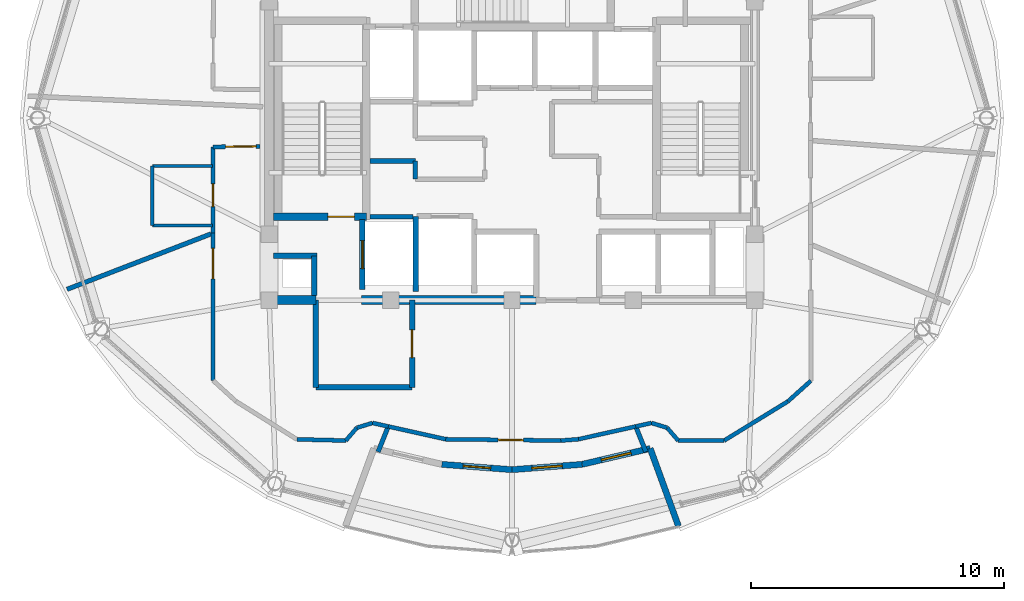
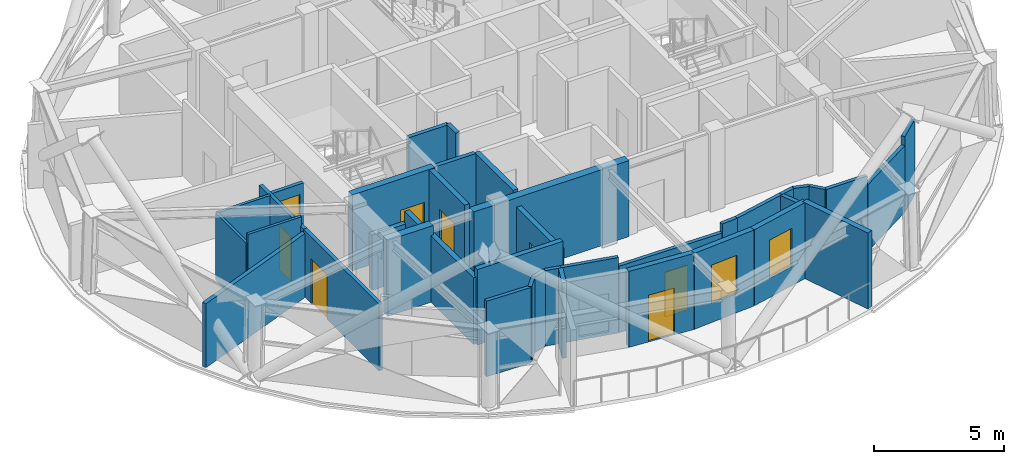
# One storey, part 7 of 13: 40 walls, 8 doors, 2 windows, 10 openings.
"""IFC4 building model written with IfcOpenShell, lengths in metres."""

from ifc_helpers import new_model, si_unit, direction, frame, frame_2d, origin, place, context, subcontext, project, spatial, rectangle, extrude, material, layer, layer_set, type_object, element, fill, save


model = new_model("IFC4")

# Units and contexts
model_context = context("Model", 3, precision=1e-05, world=origin(), true_north=direction((0.0, 1.0)))
body_context = subcontext(model_context, "Body", "Model", "MODEL_VIEW")
ifc_project = project(units=[si_unit("LENGTHUNIT", "METRE"), si_unit("AREAUNIT", "SQUARE_METRE"), si_unit("VOLUMEUNIT", "CUBIC_METRE"), si_unit("PLANEANGLEUNIT", "RADIAN"), si_unit("MASSUNIT", "GRAM", prefix="KILO")], contexts=[model_context])

# Site, building, storey
site_placement = place(None, origin())
site = spatial("IfcSite", under=ifc_project, at=site_placement, CompositionType="ELEMENT")
building_placement = place(site_placement, origin())
building = spatial("IfcBuilding", under=site, at=building_placement, Name="Vantalir Tower", CompositionType="ELEMENT")
storey_placement = place(building_placement, frame((0.0, 0.0, 282.60009765625)))
storey = spatial("IfcBuildingStorey", under=building, at=storey_placement, Name="L71", CompositionType="ELEMENT", Elevation=282.60009765625)

# Walls
ifc_material_1 = material(Name="Moisture-resistant en-suite partition", Category="gypsum")
ifc_layer_1 = layer(ifc_material_1, 0.125)
ifc_layer_set_1 = layer_set([ifc_layer_1], Name="Moisture-resistant en-suite partition")
wall_type_1 = type_object("IfcWallType", Name="WL-BATH-125", PredefinedType="PARTITIONING", material=ifc_layer_set_1)
wall_1_placement = place(storey_placement, frame((17.284912109375, 20.75, 0.0), z_axis=(0.0, 0.0, 1.0), x_axis=(1.0, 0.0, 0.0)))
element("IfcWall", 1, at=wall_1_placement, inside=storey, type_object=wall_type_1, Name="L71 Unisex WC South Wall", PredefinedType="PARTITIONING", context=body_context, shape_type="SweptSolid", body=[
    extrude(rectangle(XDim=2.380126953125, YDim=0.125, at=frame_2d((1.18994140625, 0.0))), origin(), (0.0, 0.0, 1.0), 3.5498046875),
])
wall_2_placement = place(storey_placement, frame((17.284912109375, 23.10009765625, 0.0), z_axis=(0.0, 0.0, 1.0), x_axis=(1.0, 0.0, 0.0)))
element("IfcWall", 2, at=wall_2_placement, inside=storey, type_object=wall_type_1, Name="L71 Unisex WC North Wall", PredefinedType="PARTITIONING", context=body_context, shape_type="SweptSolid", body=[
    extrude(rectangle(XDim=2.380126953125, YDim=0.125, at=frame_2d((1.18994140625, 0.0))), origin(), (0.0, 0.0, 1.0), 3.1318359375),
])
wall_3_placement = place(storey_placement, frame((17.284912109375, 20.75, 0.0), z_axis=(0.0, 0.0, 1.0), x_axis=(0.0, 1.0, 0.0)))
element("IfcWall", 3, at=wall_3_placement, inside=storey, type_object=wall_type_1, Name="L71 Unisex WC West Wall", PredefinedType="PARTITIONING", context=body_context, shape_type="SweptSolid", body=[
    extrude(rectangle(XDim=2.35009765625, YDim=0.125, at=frame_2d((1.175048828125, 0.0))), origin(), (0.0, 0.0, 1.0), 3.1318359375),
])
ifc_material_2 = material(Name="Concrete C50/60", Category="concrete")
ifc_layer_2 = layer(ifc_material_2, 0.35009765625)
ifc_layer_set_2 = layer_set([ifc_layer_2], Name="Concrete C50/60")
wall_type_2 = type_object("IfcWallType", Name="WL-CORE-350", PredefinedType="SHEAR", material=ifc_layer_set_2)
wall_4_placement = place(storey_placement, frame((21.72509765625, 17.800048828125, 0.0), z_axis=(0.0, 0.0, 1.0), x_axis=(1.0, 0.0, 0.0)))
element("IfcWall", 4, at=wall_4_placement, inside=storey, type_object=wall_type_2, Name="L71 Core Shear Wall South-West", PredefinedType="SHEAR", context=body_context, shape_type="SweptSolid", body=[
    extrude(rectangle(XDim=2.02490234375, YDim=0.35009765625, at=frame_2d((1.012451171875, 0.0))), origin(), (0.0, 0.0, 1.0), 3.56982421875),
])
wall_5_placement = place(storey_placement, frame((25.550048828125, 17.800048828125, 0.0), z_axis=(0.0, 0.0, 1.0), x_axis=(1.0, 0.0, 0.0)))
element("IfcWall", 5, at=wall_5_placement, inside=storey, type_object=wall_type_2, Name="L71 Core Shear Wall South-Mid", PredefinedType="SHEAR", context=body_context, shape_type="SweptSolid", body=[
    extrude(rectangle(XDim=6.89990234375, YDim=0.35009765625, at=frame_2d((3.449951171875, 0.0))), origin(), (0.0, 0.0, 1.0), 3.56982421875),
])
ifc_material_3 = material(Name="Fire-rated hotel corridor acoustic partition", Category="gypsum")
ifc_layer_3 = layer(ifc_material_3, 0.159912109375)
ifc_layer_set_3 = layer_set([ifc_layer_3], Name="Fire-rated hotel corridor acoustic partition")
wall_type_3 = type_object("IfcWallType", Name="WL-CORR-160", PredefinedType="PARTITIONING", material=ifc_layer_set_3)
wall_6_placement = place(storey_placement, frame((43.31103515625, 14.612060546875, 0.0), z_axis=(0.0, 0.0, 1.0), x_axis=(-0.744362690942, -0.667775549368, 0.0)))
element("IfcWall", 6, at=wall_6_placement, inside=storey, type_object=wall_type_3, Name="L71 Corridor Partition 11", PredefinedType="PARTITIONING", context=body_context, shape_type="SweptSolid", body=[
    extrude(rectangle(XDim=1.214599609375, YDim=0.159912109375, at=frame_2d((0.607421875, 0.0))), origin(), (0.0, 0.0, 1.0), 3.5498046875),
])
wall_7_placement = place(storey_placement, frame((42.406982421875, 13.801025390625, 0.0), z_axis=(0.0, 0.0, 1.0), x_axis=(-0.851983559322, -0.523568538632, 0.0)))
element("IfcWall", 7, at=wall_7_placement, inside=storey, type_object=wall_type_3, Name="L71 Corridor Partition 12", PredefinedType="PARTITIONING", context=body_context, shape_type="SweptSolid", body=[
    extrude(rectangle(XDim=2.96240234375, YDim=0.159912109375, at=frame_2d((1.481201171875, 0.0))), origin(), (0.0, 0.0, 1.0), 3.1318359375),
])
wall_8_placement = place(storey_placement, frame((39.883056640625, 12.25, 0.0), z_axis=(0.0, 0.0, 1.0), x_axis=(-0.999999855241, 0.000538068257, 0.0)))
element("IfcWall", 8, at=wall_8_placement, inside=storey, type_object=wall_type_3, Name="L71 Corridor Partition 13", PredefinedType="PARTITIONING", context=body_context, shape_type="SweptSolid", body=[
    extrude(rectangle(XDim=1.81494140625, YDim=0.159912109375, at=frame_2d((0.907470703125, 0.0))), origin(), (0.0, 0.0, 1.0), 3.5498046875),
])
wall_9_placement = place(storey_placement, frame((38.068115234375, 12.2509765625, 0.0), z_axis=(0.0, 0.0, 1.0), x_axis=(-0.653875904062, 0.756601812109, 0.0)))
element("IfcWall", 9, at=wall_9_placement, inside=storey, type_object=wall_type_3, Name="L71 Corridor Partition 14", PredefinedType="PARTITIONING", context=body_context, shape_type="SweptSolid", body=[
    extrude(rectangle(XDim=0.670166015625, YDim=0.159912109375, at=frame_2d((0.3349609375, 0.0))), origin(), (0.0, 0.0, 1.0), 3.5498046875),
])
wall_10_placement = place(storey_placement, frame((37.6298828125, 12.758056640625, 0.0), z_axis=(0.0, 0.0, 1.0), x_axis=(-0.956833727442, 0.290635885653, 0.0)))
element("IfcWall", 10, at=wall_10_placement, inside=storey, type_object=wall_type_3, Name="L71 Corridor Partition 15", PredefinedType="PARTITIONING", context=body_context, shape_type="SweptSolid", body=[
    extrude(rectangle(XDim=0.646728515625, YDim=0.159912109375, at=frame_2d((0.3232421875, 0.0))), origin(), (0.0, 0.0, 1.0), 3.5498046875),
])
wall_11_placement = place(storey_placement, frame((37.010986328125, 12.946044921875, 0.0), z_axis=(0.0, 0.0, 1.0), x_axis=(-0.976123697086, -0.217215395374, 0.0)))
element("IfcWall", 11, at=wall_11_placement, inside=storey, type_object=wall_type_3, Name="L71 Corridor Partition 16", PredefinedType="PARTITIONING", context=body_context, shape_type="SweptSolid", body=[
    extrude(rectangle(XDim=0.635009765625, YDim=0.159912109375, at=frame_2d((0.3173828125, 0.0))), origin(), (0.0, 0.0, 1.0), 3.5498046875),
])
wall_12_placement = place(storey_placement, frame((36.39111328125, 12.80810546875, 0.0), z_axis=(0.0, 0.0, 1.0), x_axis=(-0.976095343046, -0.21734277371, 0.0)))
element("IfcWall", 12, at=wall_12_placement, inside=storey, type_object=wall_type_3, Name="L71 Corridor Partition 17", PredefinedType="PARTITIONING", context=body_context, shape_type="SweptSolid", body=[
    extrude(rectangle(XDim=2.319580078125, YDim=0.159912109375, at=frame_2d((1.15966796875, 0.0))), origin(), (0.0, 0.0, 1.0), 3.5498046875),
])
wall_13_placement = place(storey_placement, frame((34.126953125, 12.303955078125, 0.0), z_axis=(0.0, 0.0, 1.0), x_axis=(-0.997033964762, -0.076962803427, 0.0)))
element("IfcWall", 13, at=wall_13_placement, inside=storey, type_object=wall_type_3, Name="L71 Corridor Partition 18", PredefinedType="PARTITIONING", context=body_context, shape_type="SweptSolid", body=[
    extrude(rectangle(XDim=0.701171875, YDim=0.159912109375, at=frame_2d((0.3505859375, 0.0))), origin(), (0.0, 0.0, 1.0), 3.5498046875),
])

# Wall, opening, door
wall_14_placement = place(storey_placement, frame((33.427978515625, 12.25, 0.0), z_axis=(0.0, 0.0, 1.0), x_axis=(-0.999932192188, 0.011645214711, 0.0)))
wall_14 = element("IfcWall", 14, at=wall_14_placement, inside=storey, type_object=wall_type_3, Name="L71 Corridor Partition 19", PredefinedType="PARTITIONING", context=body_context, shape_type="SweptSolid", body=[
    extrude(rectangle(XDim=4.54931640625, YDim=0.159912109375, at=frame_2d((2.274658203125, 0.0))), origin(), (0.0, 0.0, 1.0), 3.1318359375),
])
opening_1_placement = place(wall_14_placement, frame((1.48095703125, 0.0, 0.0)))
opening_1 = element("IfcOpeningElement", 15, at=opening_1_placement, cuts=wall_14, Name="Opening D-GUEST", PredefinedType="OPENING", context=body_context, shape_type="SweptSolid", body=[
    extrude(rectangle(XDim=1.0, YDim=2.10009765625, at=frame_2d((0.5, 1.050048828125))), frame((0.0, 0.08984375, 0.0), z_axis=(0.0, -1.0, 0.0), x_axis=(1.0, 0.0, 0.0)), (0.0, 0.0, 1.0), 0.179931640625),
])
ifc_material_4 = material(Name="Solid-core teak veneer acoustic fire door", Category="wood")
door_type_1 = type_object("IfcDoorType", Name="DR-GUEST-ENTRY-1000", OperationType="NOTDEFINED", PredefinedType="DOOR", material=ifc_material_4)
door_1_placement = place(opening_1_placement, origin())
door_1 = element("IfcDoor", 16, at=door_1_placement, inside=storey, type_object=door_type_1, Name="L71 Wind Portal Viewing Lounge 07 Door", OperationType="SINGLE_SWING_RIGHT", OverallHeight=2.10009765625, OverallWidth=1.0, PredefinedType="DOOR", context=body_context, shape_type="SweptSolid", body=[
    extrude(rectangle(XDim=1.0, YDim=2.10009765625, at=frame_2d((0.5, 1.050048828125))), frame((0.0, 0.02490234375, 0.0), z_axis=(0.0, -1.0, 0.0), x_axis=(1.0, 0.0, 0.0)), (0.0, 0.0, 1.0), 0.050048828125),
])
fill(opening_1, door_1)

# Walls
wall_15_placement = place(storey_placement, frame((28.87890625, 12.302978515625, 0.0), z_axis=(0.0, 0.0, 1.0), x_axis=(-0.976125266345, 0.217208343307, 0.0)))
element("IfcWall", 17, at=wall_15_placement, inside=storey, type_object=wall_type_3, Name="L71 Corridor Partition 20", PredefinedType="PARTITIONING", context=body_context, shape_type="SweptSolid", body=[
    extrude(rectangle(XDim=2.325439453125, YDim=0.159912109375, at=frame_2d((1.16259765625, 0.0))), origin(), (0.0, 0.0, 1.0), 3.5498046875),
])
wall_16_placement = place(storey_placement, frame((26.60888671875, 12.80810546875, 0.0), z_axis=(0.0, 0.0, 1.0), x_axis=(-0.976123697086, 0.217215395374, 0.0)))
element("IfcWall", 18, at=wall_16_placement, inside=storey, type_object=wall_type_3, Name="L71 Corridor Partition 21", PredefinedType="PARTITIONING", context=body_context, shape_type="SweptSolid", body=[
    extrude(rectangle(XDim=0.635009765625, YDim=0.159912109375, at=frame_2d((0.3173828125, 0.0))), origin(), (0.0, 0.0, 1.0), 3.5498046875),
])
wall_17_placement = place(storey_placement, frame((25.989013671875, 12.946044921875, 0.0), z_axis=(0.0, 0.0, 1.0), x_axis=(-0.956833727442, -0.290635885653, 0.0)))
element("IfcWall", 19, at=wall_17_placement, inside=storey, type_object=wall_type_3, Name="L71 Corridor Partition 22", PredefinedType="PARTITIONING", context=body_context, shape_type="SweptSolid", body=[
    extrude(rectangle(XDim=0.646728515625, YDim=0.159912109375, at=frame_2d((0.3232421875, 0.0))), origin(), (0.0, 0.0, 1.0), 3.5498046875),
])
wall_18_placement = place(storey_placement, frame((25.3701171875, 12.758056640625, 0.0), z_axis=(0.0, 0.0, 1.0), x_axis=(-0.653875904062, -0.756601812109, 0.0)))
element("IfcWall", 20, at=wall_18_placement, inside=storey, type_object=wall_type_3, Name="L71 Corridor Partition 23", PredefinedType="PARTITIONING", context=body_context, shape_type="SweptSolid", body=[
    extrude(rectangle(XDim=0.670166015625, YDim=0.159912109375, at=frame_2d((0.3349609375, 0.0))), origin(), (0.0, 0.0, 1.0), 3.5498046875),
])
wall_19_placement = place(storey_placement, frame((24.931884765625, 12.2509765625, 0.0), z_axis=(0.0, 0.0, 1.0), x_axis=(-0.999691493293, 0.024837838842, 0.0)))
element("IfcWall", 21, at=wall_19_placement, inside=storey, type_object=wall_type_3, Name="L71 Corridor Partition 24", PredefinedType="PARTITIONING", context=body_context, shape_type="SweptSolid", body=[
    extrude(rectangle(XDim=1.936279296875, YDim=0.159912109375, at=frame_2d((0.96826171875, 0.0))), origin(), (0.0, 0.0, 1.0), 3.5498046875),
])

# Wall, opening, door
wall_20_placement = place(storey_placement, frame((19.68505859375, 14.6259765625, 0.0), z_axis=(0.0, 0.0, 1.0), x_axis=(0.000167679729, 0.999999985942, 0.0)))
wall_20 = element("IfcWall", 22, at=wall_20_placement, inside=storey, type_object=wall_type_3, Name="L71 Corridor Partition 27", PredefinedType="PARTITIONING", context=body_context, shape_type="SweptSolid", body=[
    extrude(rectangle(XDim=5.823974609375, YDim=0.159912109375, at=frame_2d((2.912109375, 0.0))), origin(), (0.0, 0.0, 1.0), 3.1318359375),
])
opening_2_placement = place(wall_20_placement, frame((4.01904296875, 0.0, 0.0)))
opening_2 = element("IfcOpeningElement", 23, at=opening_2_placement, cuts=wall_20, Name="Opening D-STE", PredefinedType="OPENING", context=body_context, shape_type="SweptSolid", body=[
    extrude(rectangle(XDim=1.199951171875, YDim=2.10009765625, at=frame_2d((0.60009765625, 1.050048828125))), frame((0.0, 0.08984375, 0.0), z_axis=(0.0, -1.0, 0.0), x_axis=(1.0, 0.0, 0.0)), (0.0, 0.0, 1.0), 0.179931640625),
])
ifc_material_5 = material(Name="Solid-core teak veneer suite entrance door", Category="wood")
door_type_2 = type_object("IfcDoorType", Name="DR-SUITE-ENTRY-1200", OperationType="NOTDEFINED", PredefinedType="DOOR", material=ifc_material_5)
door_2_placement = place(opening_2_placement, origin())
door_2 = element("IfcDoor", 24, at=door_2_placement, inside=storey, type_object=door_type_2, Name="L71 Club Reading Lounge 06 Door", OperationType="SINGLE_SWING_LEFT", OverallHeight=2.10009765625, OverallWidth=1.199951171875, PredefinedType="DOOR", context=body_context, shape_type="SweptSolid", body=[
    extrude(rectangle(XDim=1.199951171875, YDim=2.10009765625, at=frame_2d((0.60009765625, 1.050048828125))), frame((0.0, 0.02490234375, 0.0), z_axis=(0.0, -1.0, 0.0), x_axis=(1.0, 0.0, 0.0)), (0.0, 0.0, 1.0), 0.050048828125),
])
fill(opening_2, door_2)

wall_21_placement = place(storey_placement, frame((19.68603515625, 20.449951171875, 0.0), z_axis=(0.0, 0.0, 1.0), x_axis=(0.0, 1.0, 0.0)))
wall_21 = element("IfcWall", 25, at=wall_21_placement, inside=storey, type_object=wall_type_3, Name="L71 Corridor Partition 28", PredefinedType="PARTITIONING", context=body_context, shape_type="SweptSolid", body=[
    extrude(rectangle(XDim=3.407958984375, YDim=0.159912109375, at=frame_2d((1.7041015625, 0.0))), origin(), (0.0, 0.0, 1.0), 3.1318359375),
])
opening_3_placement = place(wall_21_placement, frame((1.04296875, 0.0, 0.0)))
opening_3 = element("IfcOpeningElement", 26, at=opening_3_placement, cuts=wall_21, Name="Opening D-WC", PredefinedType="OPENING", context=body_context, shape_type="SweptSolid", body=[
    extrude(rectangle(XDim=0.89990234375, YDim=2.10009765625, at=frame_2d((0.449951171875, 1.050048828125))), frame((0.0, 0.08984375, 0.0), z_axis=(0.0, -1.0, 0.0), x_axis=(1.0, 0.0, 0.0)), (0.0, 0.0, 1.0), 0.179931640625),
])
ifc_material_6 = material(Name="Moisture-resistant hardwood door", Category="wood")
door_type_3 = type_object("IfcDoorType", Name="DR-ENSUITE-900", OperationType="NOTDEFINED", PredefinedType="DOOR", material=ifc_material_6)
door_3_placement = place(opening_3_placement, origin())
door_3 = element("IfcDoor", 27, at=door_3_placement, inside=storey, type_object=door_type_3, Name="L71 Unisex WC Door", OperationType="SINGLE_SWING_LEFT", OverallHeight=2.10009765625, OverallWidth=0.89990234375, PredefinedType="DOOR", context=body_context, shape_type="SweptSolid", body=[
    extrude(rectangle(XDim=0.89990234375, YDim=2.10009765625, at=frame_2d((0.449951171875, 1.050048828125))), frame((0.0, 0.02490234375, 0.0), z_axis=(0.0, -1.0, 0.0), x_axis=(1.0, 0.0, 0.0)), (0.0, 0.0, 1.0), 0.050048828125),
])
fill(opening_3, door_3)

wall_22_placement = place(storey_placement, frame((19.68603515625, 23.85791015625, 0.0), z_axis=(0.0, 0.0, 1.0), x_axis=(0.999915479981, 0.013001265106, 0.0)))
wall_22 = element("IfcWall", 28, at=wall_22_placement, inside=storey, type_object=wall_type_3, Name="L71 Corridor Partition 29", PredefinedType="PARTITIONING", context=body_context, shape_type="SweptSolid", body=[
    extrude(rectangle(XDim=1.859130859375, YDim=0.159912109375, at=frame_2d((0.9296875, 0.0))), origin(), (0.0, 0.0, 1.0), 2.594970703125),
])
opening_4_placement = place(wall_22_placement, frame((0.4990234375, 0.0, 0.0)))
opening_4 = element("IfcOpeningElement", 29, at=opening_4_placement, cuts=wall_22, Name="Opening D-STE", PredefinedType="OPENING", context=body_context, shape_type="SweptSolid", body=[
    extrude(rectangle(XDim=1.199951171875, YDim=2.10009765625, at=frame_2d((0.60009765625, 1.050048828125))), frame((0.0, 0.08984375, 0.0), z_axis=(0.0, -1.0, 0.0), x_axis=(1.0, 0.0, 0.0)), (0.0, 0.0, 1.0), 0.179931640625),
])
door_4_placement = place(opening_4_placement, origin())
door_4 = element("IfcDoor", 30, at=door_4_placement, inside=storey, type_object=door_type_2, Name="L71 Club Reading Lounge 05 Door", OperationType="SINGLE_SWING_RIGHT", OverallHeight=2.10009765625, OverallWidth=1.199951171875, PredefinedType="DOOR", context=body_context, shape_type="SweptSolid", body=[
    extrude(rectangle(XDim=1.199951171875, YDim=2.10009765625, at=frame_2d((0.60009765625, 1.050048828125))), frame((0.0, 0.02490234375, 0.0), z_axis=(0.0, -1.0, 0.0), x_axis=(1.0, 0.0, 0.0)), (0.0, 0.0, 1.0), 0.050048828125),
])
fill(opening_4, door_4)

# Wall
ifc_material_7 = material(Name="Precast concrete C40/50 insulated sky-garden wall", Category="concrete")
ifc_layer_4 = layer(ifc_material_7, 0.239990234375)
ifc_layer_set_4 = layer_set([ifc_layer_4], Name="Precast concrete C40/50 insulated sky-garden wall")
wall_type_4 = type_object("IfcWallType", Name="WL-EXT-SG-240", PredefinedType="SOLIDWALL", material=ifc_layer_set_4)
wall_23_placement = place(storey_placement, frame((36.9619140625, 11.93798828125, 0.0), z_axis=(0.0, 0.0, 1.0), x_axis=(0.341934878677, -0.939723650199, 0.0)))
element("IfcWall", 31, at=wall_23_placement, inside=storey, type_object=wall_type_4, Name="L71 Wind Portal Return SB", PredefinedType="SOLIDWALL", context=body_context, shape_type="SweptSolid", body=[
    extrude(rectangle(XDim=3.27001953125, YDim=0.239990234375, at=frame_2d((1.635009765625, 0.0))), origin(), (0.0, 0.0, 1.0), 3.56982421875),
])

# Wall, opening, door
wall_24_placement = place(storey_placement, frame((28.72705078125, 11.31103515625, 0.0), z_axis=(0.0, 0.0, 1.0), x_axis=(0.997119194593, -0.075850588495, 0.0)))
wall_24 = element("IfcWall", 32, at=wall_24_placement, inside=storey, type_object=wall_type_4, Name="L71 Wind Portal Lounge Wall S2", PredefinedType="SOLIDWALL", context=body_context, shape_type="SweptSolid", body=[
    extrude(rectangle(XDim=2.781005859375, YDim=0.239990234375, at=frame_2d((1.390625, 0.0))), origin(), (0.0, 0.0, 1.0), 3.56982421875),
])
opening_5_placement = place(wall_24_placement, frame((0.841064453125, 0.0, 0.0)))
opening_5 = element("IfcOpeningElement", 33, at=opening_5_placement, cuts=wall_24, Name="Opening D-TR", PredefinedType="OPENING", context=body_context, shape_type="SweptSolid", body=[
    extrude(rectangle(XDim=1.10009765625, YDim=2.199951171875, at=frame_2d((0.550048828125, 1.10009765625))), frame((0.0, 0.1298828125, 0.0), z_axis=(0.0, -1.0, 0.0), x_axis=(1.0, 0.0, 0.0)), (0.0, 0.0, 1.0), 0.260009765625),
])
ifc_material_8 = material(Name="Thermally broken Low-E glazed terrace door", Category="steel")
door_type_4 = type_object("IfcDoorType", Name="DR-EXT-TERR-1100", OperationType="NOTDEFINED", PredefinedType="DOOR", material=ifc_material_8)
door_5_placement = place(opening_5_placement, frame((1.10009765625, 0.0, 0.0), z_axis=(0.0, 0.0, 1.0), x_axis=(-1.0, 0.0, 0.0)))
door_5 = element("IfcDoor", 34, at=door_5_placement, inside=storey, type_object=door_type_4, Name="L71 Wind Portal Loggia Door S", OperationType="SINGLE_SWING_RIGHT", OverallHeight=2.199951171875, OverallWidth=1.10009765625, PredefinedType="DOOR", context=body_context, shape_type="SweptSolid", body=[
    extrude(rectangle(XDim=1.10009765625, YDim=2.199951171875, at=frame_2d((0.550048828125, 1.10009765625))), frame((0.0, 0.02490234375, 0.0), z_axis=(0.0, -1.0, 0.0), x_axis=(1.0, 0.0, 0.0)), (0.0, 0.0, 1.0), 0.050048828125),
])
fill(opening_5, door_5)

# Wall, opening, window
wall_25_placement = place(storey_placement, frame((31.5, 11.10009765625, 0.0), z_axis=(0.0, 0.0, 1.0), x_axis=(0.997119194593, 0.075850588495, 0.0)))
wall_25 = element("IfcWall", 35, at=wall_25_placement, inside=storey, type_object=wall_type_4, Name="L71 Wind Portal Lounge Wall S3", PredefinedType="SOLIDWALL", context=body_context, shape_type="SweptSolid", body=[
    extrude(rectangle(XDim=2.781005859375, YDim=0.239990234375, at=frame_2d((1.390625, 0.0))), origin(), (0.0, 0.0, 1.0), 3.56982421875),
])
opening_6_placement = place(wall_25_placement, frame((0.791015625, 0.0, 0.89990234375)))
opening_6 = element("IfcOpeningElement", 36, at=opening_6_placement, cuts=wall_25, Name="Opening WN-4", PredefinedType="OPENING", context=body_context, shape_type="SweptSolid", body=[
    extrude(rectangle(XDim=1.199951171875, YDim=1.800048828125, at=frame_2d((0.60009765625, 0.89990234375))), frame((0.0, 0.1298828125, 0.0), z_axis=(0.0, -1.0, 0.0), x_axis=(1.0, 0.0, 0.0)), (0.0, 0.0, 1.0), 0.260009765625),
])
ifc_material_9 = material(Name="Operable smoke-vent Low-E window", Category="glass")
window_type = type_object("IfcWindowType", Name="WIN-SG-1200x1800", PartitioningType="SINGLE_PANEL", PredefinedType="WINDOW", material=ifc_material_9)
window_1_placement = place(opening_6_placement, origin())
window_1 = element("IfcWindow", 37, at=window_1_placement, inside=storey, type_object=window_type, Name="L71 Wind Portal Viewing Window S3", OverallHeight=1.800048828125, OverallWidth=1.199951171875, PartitioningType="SINGLE_PANEL", PredefinedType="WINDOW", context=body_context, shape_type="SweptSolid", body=[
    extrude(rectangle(XDim=1.199951171875, YDim=1.800048828125, at=frame_2d((0.60009765625, 0.89990234375))), frame((0.0, 0.030029296875, 0.0), z_axis=(0.0, -1.0, 0.0), x_axis=(1.0, 0.0, 0.0)), (0.0, 0.0, 1.0), 0.06005859375),
])
fill(opening_6, window_1)

wall_26_placement = place(storey_placement, frame((34.27294921875, 11.31103515625, 0.0), z_axis=(0.0, 0.0, 1.0), x_axis=(0.973879024803, 0.227067490076, 0.0)))
wall_26 = element("IfcWall", 38, at=wall_26_placement, inside=storey, type_object=wall_type_4, Name="L71 Wind Portal Lounge Wall S4", PredefinedType="SOLIDWALL", context=body_context, shape_type="SweptSolid", body=[
    extrude(rectangle(XDim=2.760986328125, YDim=0.239990234375, at=frame_2d((1.38037109375, 0.0))), origin(), (0.0, 0.0, 1.0), 3.56982421875),
])
opening_7_placement = place(wall_26_placement, frame((0.781005859375, 0.0, 0.89990234375)))
opening_7 = element("IfcOpeningElement", 39, at=opening_7_placement, cuts=wall_26, Name="Opening WN-4", PredefinedType="OPENING", context=body_context, shape_type="SweptSolid", body=[
    extrude(rectangle(XDim=1.199951171875, YDim=1.800048828125, at=frame_2d((0.60009765625, 0.89990234375))), frame((0.0, 0.1298828125, 0.0), z_axis=(0.0, -1.0, 0.0), x_axis=(1.0, 0.0, 0.0)), (0.0, 0.0, 1.0), 0.260009765625),
])
window_2_placement = place(opening_7_placement, origin())
window_2 = element("IfcWindow", 40, at=window_2_placement, inside=storey, type_object=window_type, Name="L71 Wind Portal Viewing Window S4", OverallHeight=1.800048828125, OverallWidth=1.199951171875, PartitioningType="SINGLE_PANEL", PredefinedType="WINDOW", context=body_context, shape_type="SweptSolid", body=[
    extrude(rectangle(XDim=1.199951171875, YDim=1.800048828125, at=frame_2d((0.60009765625, 0.89990234375))), frame((0.0, 0.030029296875, 0.0), z_axis=(0.0, -1.0, 0.0), x_axis=(1.0, 0.0, 0.0)), (0.0, 0.0, 1.0), 0.06005859375),
])
fill(opening_7, window_2)

# Walls
ifc_material_10 = material(Name="Concrete blockwork with fireboard lining", Category="masonry")
ifc_layer_5 = layer(ifc_material_10, 0.219970703125)
ifc_layer_set_5 = layer_set([ifc_layer_5], Name="Concrete blockwork with fireboard lining")
wall_type_5 = type_object("IfcWallType", Name="WL-FFL-220", PredefinedType="PARTITIONING", material=ifc_layer_set_5)
wall_27_placement = place(storey_placement, frame((23.679931640625, 17.97509765625, 0.0), z_axis=(0.0, 0.0, 1.0), x_axis=(0.0, 1.0, 0.0)))
element("IfcWall", 41, at=wall_27_placement, inside=storey, type_object=wall_type_5, Name="L71 West MEP Riser Wall E", PredefinedType="PARTITIONING", context=body_context, shape_type="SweptSolid", body=[
    extrude(rectangle(XDim=1.574951171875, YDim=0.219970703125, at=frame_2d((0.78759765625, 0.0))), origin(), (0.0, 0.0, 1.0), 3.1318359375),
])
wall_28_placement = place(storey_placement, frame((22.074951171875, 19.550048828125, 0.0), z_axis=(0.0, 0.0, 1.0), x_axis=(1.0, 0.0, 0.0)))
element("IfcWall", 42, at=wall_28_placement, inside=storey, type_object=wall_type_5, Name="L71 West MEP Riser Wall N", PredefinedType="PARTITIONING", context=body_context, shape_type="SweptSolid", body=[
    extrude(rectangle(XDim=1.715087890625, YDim=0.219970703125, at=frame_2d((0.857421875, 0.0))), origin(), (0.0, 0.0, 1.0), 2.594970703125),
])

# Wall, opening, door
wall_29_placement = place(storey_placement, frame((25.590087890625, 18.219970703125, 0.0), z_axis=(0.0, 0.0, 1.0), x_axis=(0.0, 1.0, 0.0)))
wall_29 = element("IfcWall", 43, at=wall_29_placement, inside=storey, type_object=wall_type_5, Name="L71 Lift FL1 Shaft Front Wall", PredefinedType="PARTITIONING", context=body_context, shape_type="SweptSolid", body=[
    extrude(rectangle(XDim=2.760009765625, YDim=0.219970703125, at=frame_2d((1.3798828125, 0.0))), origin(), (0.0, 0.0, 1.0), 3.5498046875),
])
opening_8_placement = place(wall_29_placement, frame((0.830078125, 0.0, 0.0)))
opening_8 = element("IfcOpeningElement", 44, at=opening_8_placement, cuts=wall_29, Name="Opening LD-FL1", PredefinedType="OPENING", context=body_context, shape_type="SweptSolid", body=[
    extrude(rectangle(XDim=1.10009765625, YDim=2.199951171875, at=frame_2d((0.550048828125, 1.10009765625))), frame((0.0, 0.119873046875, 0.0), z_axis=(0.0, -1.0, 0.0), x_axis=(1.0, 0.0, 0.0)), (0.0, 0.0, 1.0), 0.239990234375),
])
ifc_material_11 = material(Name="Brushed stainless-steel sliding lift landing door", Category="steel")
door_type_5 = type_object("IfcDoorType", Name="DR-LIFT-LANDING-1100", OperationType="DOUBLE_DOOR_SLIDING", PredefinedType="DOOR", material=ifc_material_11)
door_6_placement = place(opening_8_placement, origin())
door_6 = element("IfcDoor", 45, at=door_6_placement, inside=storey, type_object=door_type_5, Name="L71 Lift Landing Door FL1", OperationType="DOUBLE_DOOR_SLIDING", OverallHeight=2.199951171875, OverallWidth=1.10009765625, PredefinedType="DOOR", context=body_context, shape_type="SweptSolid", body=[
    extrude(rectangle(XDim=1.10009765625, YDim=2.199951171875, at=frame_2d((0.550048828125, 1.10009765625))), frame((0.0, 0.02490234375, 0.0), z_axis=(0.0, -1.0, 0.0), x_axis=(1.0, 0.0, 0.0)), (0.0, 0.0, 1.0), 0.050048828125),
])
fill(opening_8, door_6)

# Walls
wall_30_placement = place(storey_placement, frame((27.699951171875, 18.14990234375, 0.0), z_axis=(0.0, 0.0, 1.0), x_axis=(0.0, 1.0, 0.0)))
element("IfcWall", 46, at=wall_30_placement, inside=storey, type_object=wall_type_5, Name="L71 Fire Lift FL1 Dividing Wall", PredefinedType="PARTITIONING", context=body_context, shape_type="SweptSolid", body=[
    extrude(rectangle(XDim=2.9501953125, YDim=0.219970703125, at=frame_2d((1.47509765625, 0.0))), origin(), (0.0, 0.0, 1.0), 3.5498046875),
])
wall_31_placement = place(storey_placement, frame((23.75, 14.35009765625, 0.0), z_axis=(0.0, 0.0, 1.0), x_axis=(0.0, 1.0, 0.0)))
element("IfcWall", 47, at=wall_31_placement, inside=storey, type_object=wall_type_5, Name="L71 Firefighting Lobby West Outer W", PredefinedType="PARTITIONING", context=body_context, shape_type="SweptSolid", body=[
    extrude(rectangle(XDim=3.449951171875, YDim=0.219970703125, at=frame_2d((1.72509765625, 0.0))), origin(), (0.0, 0.0, 1.0), 3.1318359375),
])
wall_32_placement = place(storey_placement, frame((23.75, 14.35009765625, 0.0), z_axis=(0.0, 0.0, 1.0), x_axis=(1.0, 0.0, 0.0)))
element("IfcWall", 48, at=wall_32_placement, inside=storey, type_object=wall_type_5, Name="L71 Firefighting Lobby West South Wall", PredefinedType="PARTITIONING", context=body_context, shape_type="SweptSolid", body=[
    extrude(rectangle(XDim=3.800048828125, YDim=0.219970703125, at=frame_2d((1.89990234375, 0.0))), origin(), (0.0, 0.0, 1.0), 3.5498046875),
])

# Wall, opening, door
wall_33_placement = place(storey_placement, frame((27.550048828125, 14.35009765625, 0.0), z_axis=(0.0, 0.0, 1.0), x_axis=(0.0, 1.0, 0.0)))
wall_33 = element("IfcWall", 49, at=wall_33_placement, inside=storey, type_object=wall_type_5, Name="L71 Firefighting Lobby West East Wall", PredefinedType="PARTITIONING", context=body_context, shape_type="SweptSolid", body=[
    extrude(rectangle(XDim=3.449951171875, YDim=0.219970703125, at=frame_2d((1.72509765625, 0.0))), origin(), (0.0, 0.0, 1.0), 3.1318359375),
])
opening_9_placement = place(wall_33_placement, frame((1.175048828125, 0.0, 0.0)))
opening_9 = element("IfcOpeningElement", 50, at=opening_9_placement, cuts=wall_33, Name="Opening D-FFL", PredefinedType="OPENING", context=body_context, shape_type="SweptSolid", body=[
    extrude(rectangle(XDim=1.10009765625, YDim=2.10009765625, at=frame_2d((0.550048828125, 1.050048828125))), frame((0.0, 0.119873046875, 0.0), z_axis=(0.0, -1.0, 0.0), x_axis=(1.0, 0.0, 0.0)), (0.0, 0.0, 1.0), 0.239990234375),
])
ifc_material_12 = material(Name="Fire-rated acoustic steel door", Category="steel")
door_type_6 = type_object("IfcDoorType", Name="DR-FIRE-LOBBY-1100", OperationType="NOTDEFINED", PredefinedType="DOOR", material=ifc_material_12)
door_7_placement = place(opening_9_placement, origin())
door_7 = element("IfcDoor", 51, at=door_7_placement, inside=storey, type_object=door_type_6, Name="L71 Firefighting Lobby West Access Door", OperationType="SINGLE_SWING_RIGHT", OverallHeight=2.10009765625, OverallWidth=1.10009765625, PredefinedType="DOOR", context=body_context, shape_type="SweptSolid", body=[
    extrude(rectangle(XDim=1.10009765625, YDim=2.10009765625, at=frame_2d((0.550048828125, 1.050048828125))), frame((0.0, 0.02490234375, 0.0), z_axis=(0.0, -1.0, 0.0), x_axis=(1.0, 0.0, 0.0)), (0.0, 0.0, 1.0), 0.050048828125),
])
fill(opening_9, door_7)

# Walls
ifc_material_13 = material(Name="Twin-stud acoustic fire-rated gypsum partition", Category="gypsum")
ifc_layer_6 = layer(ifc_material_13, 0.179931640625)
ifc_layer_set_6 = layer_set([ifc_layer_6], Name="Twin-stud acoustic fire-rated gypsum partition")
wall_type_6 = type_object("IfcWallType", Name="WL-GUEST-180", PredefinedType="PARTITIONING", material=ifc_layer_set_6)
wall_34_placement = place(storey_placement, frame((25.889892578125, 21.10009765625, 0.0), z_axis=(0.0, 0.0, 1.0), x_axis=(1.0, 0.0, 0.0)))
element("IfcWall", 52, at=wall_34_placement, inside=storey, type_object=wall_type_6, Name="L71 Freed West Core South Wall", PredefinedType="PARTITIONING", context=body_context, shape_type="SweptSolid", body=[
    extrude(rectangle(XDim=1.7001953125, YDim=0.179931640625, at=frame_2d((0.85009765625, 0.0))), origin(), (0.0, 0.0, 1.0), 3.5498046875),
])
wall_35_placement = place(storey_placement, frame((25.889892578125, 23.300048828125, 0.0), z_axis=(0.0, 0.0, 1.0), x_axis=(1.0, 0.0, 0.0)))
element("IfcWall", 53, at=wall_35_placement, inside=storey, type_object=wall_type_6, Name="L71 West Linen South-West Wall", PredefinedType="PARTITIONING", context=body_context, shape_type="SweptSolid", body=[
    extrude(rectangle(XDim=1.7900390625, YDim=0.179931640625, at=frame_2d((0.89501953125, 0.0))), origin(), (0.0, 0.0, 1.0), 3.5498046875),
])
wall_36_placement = place(storey_placement, frame((27.679931640625, 22.580078125, 0.0), z_axis=(0.0, 0.0, 1.0), x_axis=(0.0, 1.0, 0.0)))
element("IfcWall", 54, at=wall_36_placement, inside=storey, type_object=wall_type_6, Name="L71 West Linen Step Wall", PredefinedType="PARTITIONING", context=body_context, shape_type="SweptSolid", body=[
    extrude(rectangle(XDim=0.719970703125, YDim=0.179931640625, at=frame_2d((0.35986328125, 0.0))), origin(), (0.0, 0.0, 1.0), 3.5498046875),
])
wall_37_placement = place(storey_placement, frame((19.610107421875, 20.4208984375, 0.0), z_axis=(0.0, 0.0, 1.0), x_axis=(-0.933251774806, -0.359222945846, 0.0)))
element("IfcWall", 55, at=wall_37_placement, inside=storey, type_object=wall_type_6, Name="L71 Radial Suite Partition 06", PredefinedType="PARTITIONING", context=body_context, shape_type="SweptSolid", body=[
    extrude(rectangle(XDim=6.1044921875, YDim=0.179931640625, at=frame_2d((3.05224609375, 0.0))), origin(), (0.0, 0.0, 1.0), 3.0029296875),
])
for number, where, z_axis, x_axis, name in (
    (56, (26.590087890625, 12.760009765625, 0.0), (0.0, 0.0, 1.0), (-0.372906360529, -0.927868981202, 0.0), "L71 Radial Suite Partition 07"),
    (57, (36.409912109375, 12.760009765625, 0.0), (0.0, 0.0, 1.0), (0.372906360529, -0.927868981202, 0.0), "L71 Radial Suite Partition 08"),
):
    element("IfcWall", number, at=place(storey_placement, frame(where, z_axis=z_axis, x_axis=x_axis)), inside=storey, type_object=wall_type_6, Name=name, PredefinedType="PARTITIONING", context=body_context, shape_type="SweptSolid", body=[
        extrude(rectangle(XDim=1.027099609375, YDim=0.179931640625, at=frame_2d((0.513671875, 0.0))), origin(), (0.0, 0.0, 1.0), 3.5498046875),
    ])

# Wall, opening, door
ifc_layer_7 = layer(ifc_material_2, 0.300048828125)
ifc_layer_set_7 = layer_set([ifc_layer_7], Name="Concrete C50/60")
wall_type_7 = type_object("IfcWallType", Name="WL-STAIR-300", PredefinedType="SHEAR", material=ifc_layer_set_7)
wall_38_placement = place(storey_placement, frame((22.074951171875, 21.10009765625, 0.0), z_axis=(0.0, 0.0, 1.0), x_axis=(1.0, 0.0, 0.0)))
wall_38 = element("IfcWall", 58, at=wall_38_placement, inside=storey, type_object=wall_type_7, Name="L71 Stair ST1 South Wall", PredefinedType="SHEAR", context=body_context, shape_type="SweptSolid", body=[
    extrude(rectangle(XDim=3.6650390625, YDim=0.300048828125, at=frame_2d((1.83251953125, 0.0))), origin(), (0.0, 0.0, 1.0), 3.56982421875),
])
opening_10_placement = place(wall_38_placement, frame((2.14501953125, 0.0, 0.0)))
opening_10 = element("IfcOpeningElement", 59, at=opening_10_placement, cuts=wall_38, Name="Opening D-ST", PredefinedType="OPENING", context=body_context, shape_type="SweptSolid", body=[
    extrude(rectangle(XDim=1.050048828125, YDim=2.10009765625, at=frame_2d((0.52490234375, 1.050048828125))), frame((0.0, 0.159912109375, 0.0), z_axis=(0.0, -1.0, 0.0), x_axis=(1.0, 0.0, 0.0)), (0.0, 0.0, 1.0), 0.320068359375),
])
ifc_material_14 = material(Name="Fire-rated steel door leaf", Category="steel")
door_type_7 = type_object("IfcDoorType", Name="DR-FIRE-STAIR-1050", OperationType="NOTDEFINED", PredefinedType="DOOR", material=ifc_material_14)
door_8_placement = place(opening_10_placement, origin())
door_8 = element("IfcDoor", 60, at=door_8_placement, inside=storey, type_object=door_type_7, Name="L71 Exit Stair ST1 Fire Door", OperationType="SINGLE_SWING_RIGHT", OverallHeight=2.10009765625, OverallWidth=1.050048828125, PredefinedType="DOOR", context=body_context, shape_type="SweptSolid", body=[
    extrude(rectangle(XDim=1.050048828125, YDim=2.10009765625, at=frame_2d((0.52490234375, 1.050048828125))), frame((0.0, 0.02490234375, 0.0), z_axis=(0.0, -1.0, 0.0), x_axis=(1.0, 0.0, 0.0)), (0.0, 0.0, 1.0), 0.050048828125),
])
fill(opening_10, door_8)

save(model, "model.ifc")
